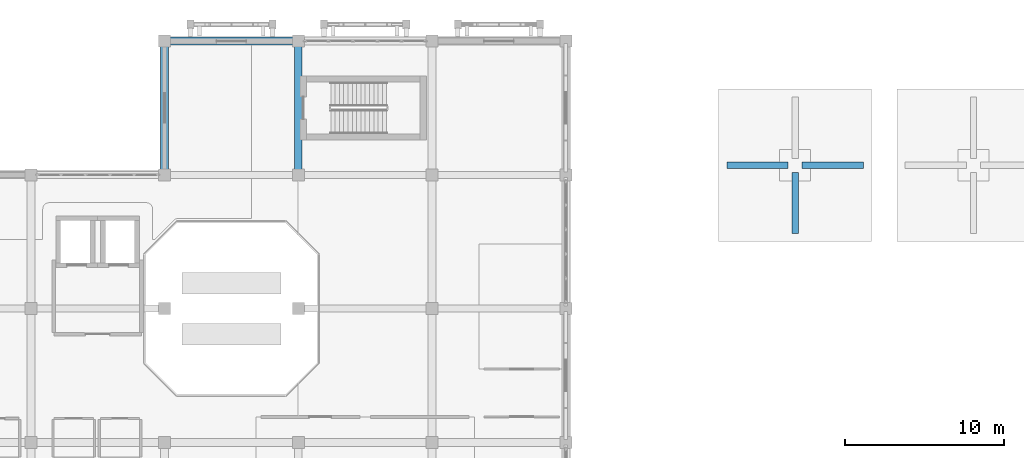
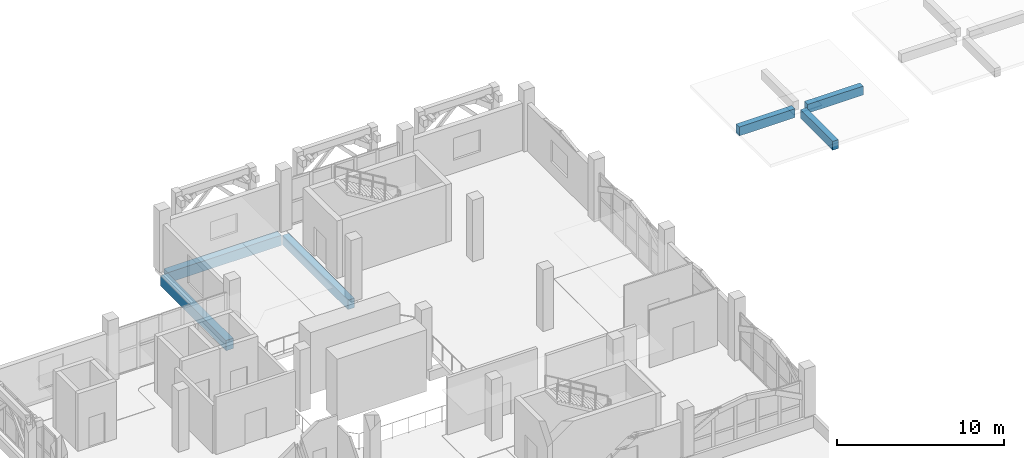
# One storey, part 15 of 30: 6 beams.
"""IFC4 building model written with IfcOpenShell, lengths in metres."""

from ifc_helpers import new_model, si_unit, direction, frame, origin, origin_2d, place, context, subcontext, project, spatial, rectangle, extrude, material, material_profile, profile_set, type_object, element, save


model = new_model("IFC4")

# Units and contexts
model_context = context("Model", 3, precision=1e-05, world=origin(), true_north=direction((0.0, 1.0)))
body_context = subcontext(model_context, "Body", "Model", "MODEL_VIEW")
ifc_project = project(units=[si_unit("LENGTHUNIT", "METRE"), si_unit("AREAUNIT", "SQUARE_METRE"), si_unit("VOLUMEUNIT", "CUBIC_METRE"), si_unit("PLANEANGLEUNIT", "RADIAN"), si_unit("MASSUNIT", "GRAM", prefix="KILO")], contexts=[model_context])

# Site, building, storey
site_placement = place(None, origin())
site = spatial("IfcSite", under=ifc_project, at=site_placement, CompositionType="ELEMENT")
building_placement = place(site_placement, origin())
building = spatial("IfcBuilding", under=site, at=building_placement, Name="Xazarin Passage Department Store", CompositionType="ELEMENT")
storey_placement = place(building_placement, frame((0.0, 0.0, 23.39990234375)))
storey = spatial("IfcBuildingStorey", under=building, at=storey_placement, Name="L05", CompositionType="ELEMENT", Elevation=23.39990234375)

# Beams
ifc_material_1 = material(Name="Concrete C35/45", Category="concrete")
ifc_material_profile_1 = material_profile(ifc_material_1, rectangle(XDim=0.449951171875, YDim=0.699951171875, at=origin_2d()), Name="RC 450x700")
ifc_profile_set_1 = profile_set([ifc_material_profile_1], Name="Concrete C35/45")
beam_type_1 = type_object("IfcBeamType", Name="STR-BM-G450x700", PredefinedType="BEAM", material=ifc_profile_set_1)
beam_1_placement = place(storey_placement, frame((25.199951171875, 101.8798828125, -0.64990234375), z_axis=(0.0, 1.0, 0.0), x_axis=(-1.0, 0.0, 0.0)))
element("IfcBeam", 1, at=beam_1_placement, inside=storey, type_object=beam_type_1, Name="L05 Grid Beam 4/P-Q", PredefinedType="BEAM", context=body_context, shape_type="SweptSolid", body=[
    extrude(rectangle(XDim=0.449951171875, YDim=0.699951171875, at=origin_2d()), origin(), (0.0, 0.0, 1.0), 7.840087890625),
])
ifc_material_profile_2 = material_profile(ifc_material_1, rectangle(XDim=0.5, YDim=0.75, at=origin_2d()), Name="RC 500x750")
ifc_profile_set_2 = profile_set([ifc_material_profile_2], Name="Concrete C35/45")
beam_type_2 = type_object("IfcBeamType", Name="STR-BM-SP500x750", PredefinedType="SPANDREL", material=ifc_profile_set_2)
beam_2_placement = place(storey_placement, frame((17.080078125, 110.0, -0.6748046875), z_axis=(1.0, 0.0, 0.0), x_axis=(0.0, 1.0, 0.0)))
element("IfcBeam", 2, at=beam_2_placement, inside=storey, type_object=beam_type_2, Name="L05 Grid Beam Q/3-4", PredefinedType="SPANDREL", context=body_context, shape_type="SweptSolid", body=[
    extrude(rectangle(XDim=0.5, YDim=0.75, at=origin_2d()), origin(), (0.0, 0.0, 1.0), 7.83984375),
])
beam_3_placement = place(storey_placement, frame((16.800048828125, 101.8798828125, -0.6748046875), z_axis=(0.0, 1.0, 0.0), x_axis=(-1.0, 0.0, 0.0)))
element("IfcBeam", 3, at=beam_3_placement, inside=storey, type_object=beam_type_2, Name="L05 Grid Beam 3/P-Q", PredefinedType="SPANDREL", context=body_context, shape_type="SweptSolid", body=[
    extrude(rectangle(XDim=0.5, YDim=0.75, at=origin_2d()), origin(), (0.0, 0.0, 1.0), 7.840087890625),
])
ifc_material_2 = material(Name="Concrete C40/50", Category="concrete")
ifc_material_profile_3 = material_profile(ifc_material_2, rectangle(XDim=0.39990234375, YDim=0.64990234375, at=origin_2d()), Name="RC 400x650")
ifc_profile_set_3 = profile_set([ifc_material_profile_3], Name="Concrete C40/50")
beam_type_3 = type_object("IfcBeamType", Name="STR-BM-UMB400x650", PredefinedType="BEAM", material=ifc_profile_set_3)
for number, where, z_axis, x_axis, name in (
    (4, (56.840087890625, 102.199951171875, 2.455078125), (1.0, 0.0, 0.0), (0.0, 1.0, 0.0), "Umbrella UM1 Cantilever Rib E"),
    (5, (55.9599609375, 102.199951171875, 2.455078125), (-1.0, 0.0, 0.0), (0.0, -1.0, 0.0), "Umbrella UM1 Cantilever Rib W"),
):
    element("IfcBeam", number, at=place(storey_placement, frame(where, z_axis=z_axis, x_axis=x_axis)), inside=storey, type_object=beam_type_3, Name=name, PredefinedType="BEAM", context=body_context, shape_type="SweptSolid", body=[
        extrude(rectangle(XDim=0.39990234375, YDim=0.64990234375, at=origin_2d()), origin(), (0.0, 0.0, 1.0), 3.849853515625),
    ])
beam_4_placement = place(storey_placement, frame((56.39990234375, 101.760009765625, 2.455078125), z_axis=(0.0, -1.0, 0.0), x_axis=(1.0, 0.0, 0.0)))
element("IfcBeam", 6, at=beam_4_placement, inside=storey, type_object=beam_type_3, Name="Umbrella UM1 Cantilever Rib S", PredefinedType="BEAM", context=body_context, shape_type="SweptSolid", body=[
    extrude(rectangle(XDim=0.39990234375, YDim=0.64990234375, at=origin_2d()), origin(), (0.0, 0.0, 1.0), 3.85009765625),
])

save(model, "model.ifc")
